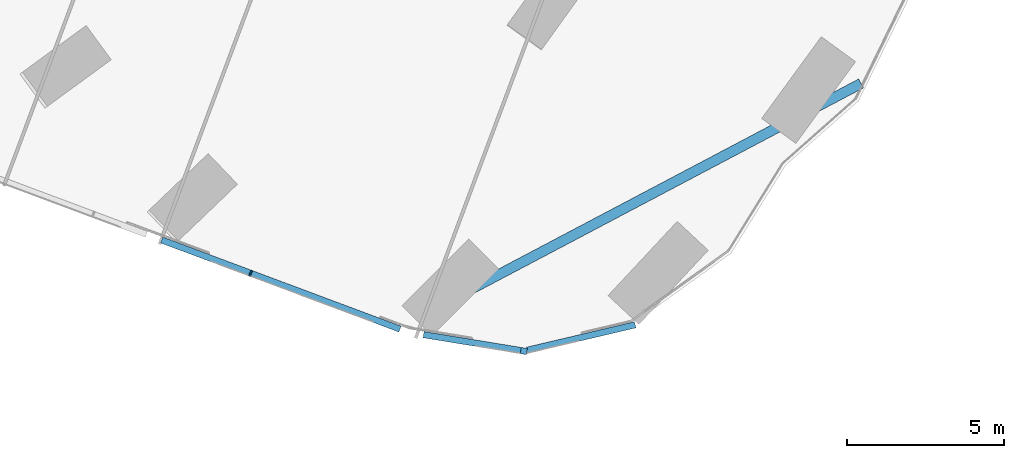
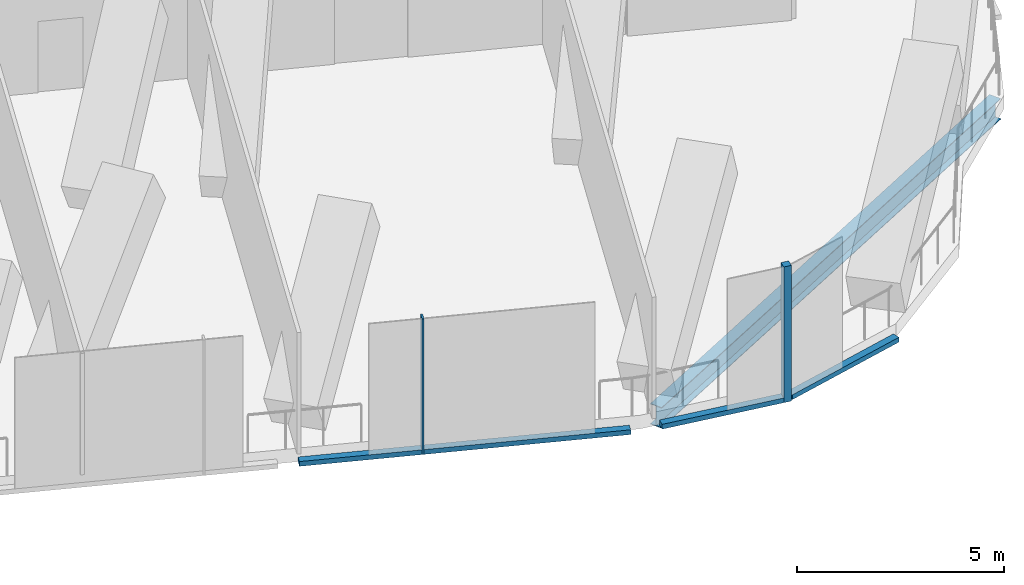
# One storey, part 9 of 34: 5 members, 1 beam, 3 elements without a shape of their own.
"""IFC4 building model written with IfcOpenShell, lengths in metres."""

from ifc_helpers import new_model, si_unit, direction, frame, origin, origin_2d, place, context, subcontext, project, spatial, rectangle, i_section, extrude, material, material_profile, profile_set, type_object, element, aggregate, save


model = new_model("IFC4")

# Units and contexts
model_context = context("Model", 3, precision=1e-05, world=origin(), true_north=direction((0.0, 1.0)))
body_context = subcontext(model_context, "Body", "Model", "MODEL_VIEW")
ifc_project = project(units=[si_unit("LENGTHUNIT", "METRE"), si_unit("AREAUNIT", "SQUARE_METRE"), si_unit("VOLUMEUNIT", "CUBIC_METRE"), si_unit("PLANEANGLEUNIT", "RADIAN"), si_unit("MASSUNIT", "GRAM", prefix="KILO")], contexts=[model_context])

# Site, building, storey
site_placement = place(None, origin())
site = spatial("IfcSite", under=ifc_project, at=site_placement, CompositionType="ELEMENT")
building_placement = place(site_placement, origin())
building = spatial("IfcBuilding", under=site, at=building_placement, Name="Orlundy Tower", CompositionType="ELEMENT")
storey_placement = place(building_placement, frame((0.0, 0.0, 98.199951171875)))
storey = spatial("IfcBuildingStorey", under=building, at=storey_placement, Name="L24", CompositionType="ELEMENT", Elevation=98.199951171875)

# Beam
ifc_material_1 = material(Name="Steel ASTM A992 Gr 50", Category="steel")
ifc_material_profile_1 = material_profile(ifc_material_1, i_section(OverallWidth=0.32373046875, OverallDepth=0.611083984375, WebThickness=0.0126953125, FlangeThickness=0.01904296875, at=origin_2d()), Name="W24X104")
ifc_profile_set_1 = profile_set([ifc_material_profile_1], Name="Steel ASTM A992 Gr 50")
beam_type = type_object("IfcBeamType", Name="CANTILEVER GIRDER beam W24X104", PredefinedType="BEAM", material=ifc_profile_set_1)
beam_placement = place(storey_placement, frame((54.242431640625, -28.41015625, -0.70556640625), z_axis=(-0.884451023894, -0.466633031764, 0.0), x_axis=(0.466633031764, -0.884451023894, 0.0)))
element("IfcBeam", 1, at=beam_placement, inside=storey, type_object=beam_type, Name="Cantilever girder C-A2-5 L24", PredefinedType="BEAM", context=body_context, shape_type="SweptSolid", body=[
    extrude(i_section(OverallWidth=0.32373046875, OverallDepth=0.611083984375, WebThickness=0.0126953125, FlangeThickness=0.01904296875, at=origin_2d()), origin(), (0.0, 0.0, 1.0), 15.3740234375),
])

# Curtain wall, member
ifc_material_2 = material(Name="Aluminium bronze anodised", Category="aluminium")
curtain_wall_type = type_object("IfcCurtainWallType", Name="CW5 wall", PredefinedType="NOTDEFINED", material=ifc_material_2)
curtain_wall_1_placement = place(storey_placement, origin())
curtain_wall_1 = element("IfcCurtainWall", 2, at=curtain_wall_1_placement, inside=storey, type_object=curtain_wall_type, Name="CW5 run 040", PredefinedType="NOTDEFINED")
ifc_material_3 = material(Name="Aluminium bronze anodised", Category="aluminium")
ifc_material_profile_2 = material_profile(ifc_material_3, rectangle(XDim=0.199951171875, YDim=0.199951171875, at=origin_2d()), Name="CW5 corner post 200x200")
ifc_profile_set_2 = profile_set([ifc_material_profile_2], Name="Aluminium bronze anodised")
member_type_1 = type_object("IfcMemberType", Name="CW5 corner post 200x200", PredefinedType="MULLION", material=ifc_profile_set_2)
member_1_placement = place(storey_placement, frame((43.491455078125, -36.94189453125, -0.39990234375), z_axis=(0.0, 0.0, 1.0), x_axis=(-0.160767268774, -0.986992343076, 0.0)))
member_1 = element("IfcMember", 3, at=member_1_placement, type_object=member_type_1, Name="CW5 mullion 69", PredefinedType="MULLION", context=body_context, shape_type="SweptSolid", body=[
    extrude(rectangle(XDim=0.199951171875, YDim=0.199951171875, at=origin_2d()), origin(), (0.0, 0.0, 1.0), 4.0),
])

curtain_wall_2_placement = place(storey_placement, origin())
curtain_wall_2 = element("IfcCurtainWall", 4, at=curtain_wall_2_placement, inside=storey, type_object=curtain_wall_type, Name="CW5 run 041", PredefinedType="NOTDEFINED")
ifc_material_4 = material(Name="Aluminium bronze anodised", Category="aluminium")
ifc_material_profile_3 = material_profile(ifc_material_4, rectangle(XDim=0.199951171875, YDim=0.050048828125, at=origin_2d()), Name="CW5 mullion 50x200")
ifc_profile_set_3 = profile_set([ifc_material_profile_3], Name="Aluminium bronze anodised")
member_type_2 = type_object("IfcMemberType", Name="CW5 mullion 50x200", PredefinedType="MULLION", material=ifc_profile_set_3)
member_2_placement = place(storey_placement, frame((34.776611328125, -34.461669921875, -0.39990234375), z_axis=(0.0, 0.0, 1.0), x_axis=(-0.350219011684, -0.936667840729, 0.0)))
member_2 = element("IfcMember", 5, at=member_2_placement, type_object=member_type_2, Name="CW5 mullion 71", PredefinedType="MULLION", context=body_context, shape_type="SweptSolid", body=[
    extrude(rectangle(XDim=0.199951171875, YDim=0.050048828125, at=origin_2d()), origin(), (0.0, 0.0, 1.0), 4.0),
])

curtain_wall_3_placement = place(storey_placement, origin())
curtain_wall_3 = element("IfcCurtainWall", 6, at=curtain_wall_3_placement, inside=storey, type_object=curtain_wall_type, Name="CW5 run 039", PredefinedType="NOTDEFINED")
ifc_material_5 = material(Name="Aluminium bronze anodised", Category="aluminium")
ifc_material_profile_4 = material_profile(ifc_material_5, rectangle(XDim=0.199951171875, YDim=0.139892578125, at=origin_2d()), Name="CW5 transom 200x140")
ifc_profile_set_4 = profile_set([ifc_material_profile_4], Name="Aluminium bronze anodised")
member_type_3 = type_object("IfcMemberType", Name="CW5 transom 200x140", PredefinedType="USERDEFINED", material=ifc_profile_set_4)
member_3_placement = place(storey_placement, frame((47.041015625, -36.105712890625, -0.329833984375), z_axis=(-0.973360129684, -0.229281612741, 0.0), x_axis=(0.229281612741, -0.973360129684, 0.0)))
member_3 = element("IfcMember", 7, at=member_3_placement, type_object=member_type_3, Name="CW5 transom", ObjectType="TRANSOM", PredefinedType="USERDEFINED", context=body_context, shape_type="SweptSolid", body=[
    extrude(rectangle(XDim=0.199951171875, YDim=0.139892578125, at=origin_2d()), origin(), (0.0, 0.0, 1.0), 3.538330078125),
])
aggregate(curtain_wall_3, [member_3])

# Member
member_4_placement = place(storey_placement, frame((43.392822265625, -36.92578125, -0.329833984375), z_axis=(-0.986988337063, 0.160791860804, 0.0), x_axis=(-0.160791860804, -0.986988337063, 0.0)))
member_4 = element("IfcMember", 8, at=member_4_placement, type_object=member_type_3, Name="CW5 transom", ObjectType="TRANSOM", PredefinedType="USERDEFINED", context=body_context, shape_type="SweptSolid", body=[
    extrude(rectangle(XDim=0.199951171875, YDim=0.139892578125, at=origin_2d()), origin(), (0.0, 0.0, 1.0), 3.139892578125),
])

aggregate(curtain_wall_1, [member_1, member_4])

member_5_placement = place(storey_placement, frame((39.541015625, -36.2431640625, -0.329833984375), z_axis=(-0.936670084173, 0.350213011487, 0.0), x_axis=(-0.350213011487, -0.936670084173, 0.0)))
member_5 = element("IfcMember", 9, at=member_5_placement, type_object=member_type_3, Name="CW5 transom", ObjectType="TRANSOM", PredefinedType="USERDEFINED", context=body_context, shape_type="SweptSolid", body=[
    extrude(rectangle(XDim=0.199951171875, YDim=0.139892578125, at=origin_2d()), origin(), (0.0, 0.0, 1.0), 8.1123046875),
])

aggregate(curtain_wall_2, [member_2, member_5])

save(model, "model.ifc")
